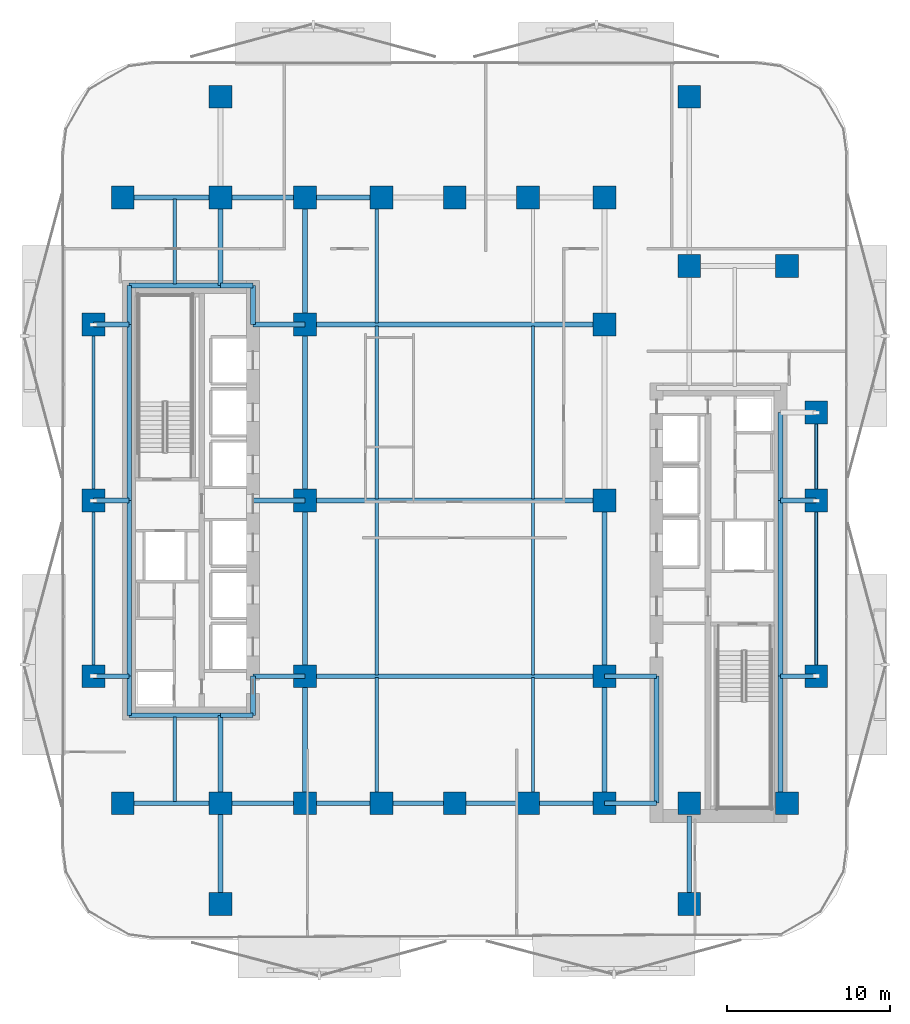
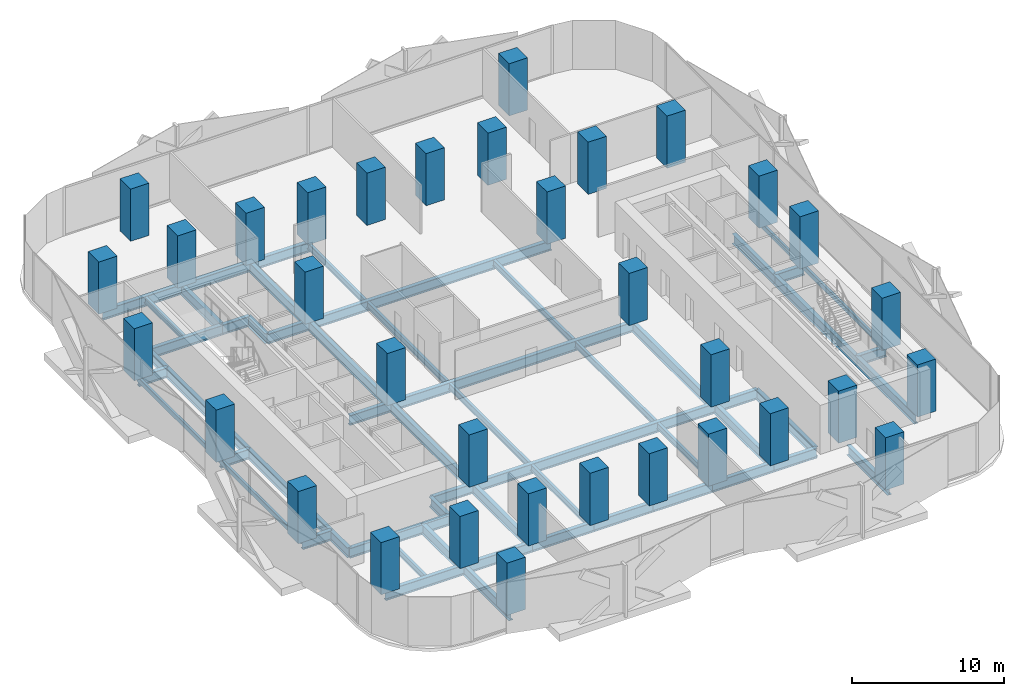
# One storey, part 1 of 16: 59 beams, 34 columns.
"""IFC4 building model written with IfcOpenShell, lengths in metres."""

from ifc_helpers import new_model, si_unit, direction, frame, origin, origin_2d, place, context, subcontext, project, spatial, rectangle, hollow_rectangle, i_section, extrude, material, material_profile, profile_set, type_object, element, save


model = new_model("IFC4")

# Units and contexts
model_context = context("Model", 3, precision=1e-05, world=origin(), true_north=direction((0.0, 1.0)))
body_context = subcontext(model_context, "Body", "Model", "MODEL_VIEW")
ifc_project = project(units=[si_unit("LENGTHUNIT", "METRE"), si_unit("AREAUNIT", "SQUARE_METRE"), si_unit("VOLUMEUNIT", "CUBIC_METRE"), si_unit("PLANEANGLEUNIT", "RADIAN"), si_unit("MASSUNIT", "GRAM", prefix="KILO")], contexts=[model_context])

# Site, building, storey
site_placement = place(None, origin())
site = spatial("IfcSite", under=ifc_project, at=site_placement, CompositionType="ELEMENT")
building_placement = place(site_placement, origin())
building = spatial("IfcBuilding", under=site, at=building_placement, Name="Khairoan Windgate Tower", CompositionType="ELEMENT")
storey_placement = place(building_placement, frame((0.0, 0.0, 55.39990234375)))
storey = spatial("IfcBuildingStorey", under=building, at=storey_placement, Name="L13", CompositionType="ELEMENT", Elevation=55.39990234375)

# Columns
ifc_material_1 = material(Name="Concrete C60/75", Category="concrete")
ifc_material_profile_1 = material_profile(ifc_material_1, rectangle(XDim=1.39990234375, YDim=1.39990234375, at=origin_2d()))
ifc_profile_set_1 = profile_set([ifc_material_profile_1], Name="Concrete C60/75")
column_type = type_object("IfcColumnType", Name="Column C-T2 RC1400x1400", PredefinedType="COLUMN", material=ifc_profile_set_1)
for number, where, z_axis, x_axis, name in (
    (1, (-9.199951171875, -18.60009765625, 0.0), (0.0, 0.0, 1.0), (1.0, 0.0, 0.0), "Column L13-01"),
    (2, (-9.199951171875, -10.800048828125, 0.0), (0.0, 0.0, 1.0), (1.0, 0.0, 0.0), "Column L13-02"),
    (3, (-9.199951171875, 0.0, 0.0), (0.0, 0.0, 1.0), (1.0, 0.0, 0.0), "Column L13-03"),
    (4, (-9.199951171875, 10.800048828125, 0.0), (0.0, 0.0, 1.0), (1.0, 0.0, 0.0), "Column L13-04"),
    (5, (-9.199951171875, 18.60009765625, 0.0), (0.0, 0.0, 1.0), (1.0, 0.0, 0.0), "Column L13-05"),
    (6, (9.199951171875, -18.60009765625, 0.0), (0.0, 0.0, 1.0), (1.0, 0.0, 0.0), "Column L13-06"),
    (7, (9.199951171875, -10.800048828125, 0.0), (0.0, 0.0, 1.0), (1.0, 0.0, 0.0), "Column L13-07"),
    (8, (9.199951171875, 0.0, 0.0), (0.0, 0.0, 1.0), (1.0, 0.0, 0.0), "Column L13-08"),
    (9, (9.199951171875, 10.800048828125, 0.0), (0.0, 0.0, 1.0), (1.0, 0.0, 0.0), "Column L13-09"),
    (10, (9.199951171875, 18.60009765625, 0.0), (0.0, 0.0, 1.0), (1.0, 0.0, 0.0), "Column L13-10"),
    (11, (-20.39990234375, -18.60009765625, 0.0), (0.0, 0.0, 1.0), (1.0, 0.0, 0.0), "Column L13-11"),
    (12, (-20.39990234375, 18.60009765625, 0.0), (0.0, 0.0, 1.0), (1.0, 0.0, 0.0), "Column L13-12"),
    (13, (20.39990234375, -18.60009765625, 0.0), (0.0, 0.0, 1.0), (1.0, 0.0, 0.0), "Column L13-13"),
    (14, (20.39990234375, 14.39990234375, 0.0), (0.0, 0.0, 1.0), (1.0, 0.0, 0.0), "Column L13-14"),
    (15, (-14.39990234375, -18.60009765625, 0.0), (0.0, 0.0, 1.0), (1.0, 0.0, 0.0), "Column L13-15"),
    (16, (-14.39990234375, 18.60009765625, 0.0), (0.0, 0.0, 1.0), (1.0, 0.0, 0.0), "Column L13-16"),
    (17, (14.39990234375, -18.60009765625, 0.0), (0.0, 0.0, 1.0), (1.0, 0.0, 0.0), "Column L13-17"),
    (18, (14.39990234375, 14.39990234375, 0.0), (0.0, 0.0, 1.0), (1.0, 0.0, 0.0), "Column L13-18"),
    (19, (-4.5, -18.60009765625, 0.0), (0.0, 0.0, 1.0), (1.0, 0.0, 0.0), "Column L13-19"),
    (20, (0.0, -18.60009765625, 0.0), (0.0, 0.0, 1.0), (1.0, 0.0, 0.0), "Column L13-20"),
    (21, (4.5, -18.60009765625, 0.0), (0.0, 0.0, 1.0), (1.0, 0.0, 0.0), "Column L13-21"),
    (22, (-4.5, 18.60009765625, 0.0), (0.0, 0.0, 1.0), (1.0, 0.0, 0.0), "Column L13-22"),
    (23, (0.0, 18.60009765625, 0.0), (0.0, 0.0, 1.0), (1.0, 0.0, 0.0), "Column L13-23"),
    (24, (4.5, 18.60009765625, 0.0), (0.0, 0.0, 1.0), (1.0, 0.0, 0.0), "Column L13-24"),
    (25, (-22.199951171875, -10.800048828125, 0.0), (0.0, 0.0, 1.0), (1.0, 0.0, 0.0), "Column L13-25"),
    (26, (-22.199951171875, 0.0, 0.0), (0.0, 0.0, 1.0), (1.0, 0.0, 0.0), "Column L13-26"),
    (27, (-22.199951171875, 10.800048828125, 0.0), (0.0, 0.0, 1.0), (1.0, 0.0, 0.0), "Column L13-27"),
    (28, (22.199951171875, -10.800048828125, 0.0), (0.0, 0.0, 1.0), (1.0, 0.0, 0.0), "Column L13-28"),
    (29, (22.199951171875, 0.0, 0.0), (0.0, 0.0, 1.0), (1.0, 0.0, 0.0), "Column L13-29"),
    (30, (22.199951171875, 5.39990234375, 0.0), (0.0, 0.0, 1.0), (1.0, 0.0, 0.0), "Column L13-30"),
    (31, (-14.39990234375, -24.800048828125, 0.0), (0.0, 0.0, 1.0), (1.0, 0.0, 0.0), "Column L13-31"),
    (32, (-14.39990234375, 24.800048828125, 0.0), (0.0, 0.0, 1.0), (1.0, 0.0, 0.0), "Column L13-32"),
    (33, (14.39990234375, -24.800048828125, 0.0), (0.0, 0.0, 1.0), (1.0, 0.0, 0.0), "Column L13-33"),
    (34, (14.39990234375, 24.800048828125, 0.0), (0.0, 0.0, 1.0), (1.0, 0.0, 0.0), "Column L13-34"),
):
    element("IfcColumn", number, at=place(storey_placement, frame(where, z_axis=z_axis, x_axis=x_axis)), inside=storey, type_object=column_type, Name=name, PredefinedType="COLUMN", context=body_context, shape_type="SweptSolid", body=[
        extrude(rectangle(XDim=1.39990234375, YDim=1.39990234375, at=origin_2d()), origin(), (0.0, 0.0, 1.0), 4.2001953125),
    ])

# Beams
ifc_material_2 = material(Name="Steel S355", Category="steel")
ifc_material_profile_2 = material_profile(ifc_material_2, i_section(OverallWidth=0.300048828125, OverallDepth=0.800048828125, WebThickness=0.013916015625, FlangeThickness=0.02587890625, FilletRadius=0.028076171875, at=origin_2d()))
ifc_profile_set_2 = profile_set([ifc_material_profile_2], Name="Steel S355")
beam_type_1 = type_object("IfcBeamType", Name="Beam B-G2 H800x300x14x26", PredefinedType="BEAM", material=ifc_profile_set_2)
beam_1_placement = place(storey_placement, frame((-20.39990234375, -18.60009765625, -0.659912109375), z_axis=(1.0, 0.0, 0.0), x_axis=(0.0, 1.0, 0.0)))
element("IfcBeam", 35, at=beam_1_placement, inside=storey, type_object=beam_type_1, Name="L13 E-W Primary Girder 01", PredefinedType="BEAM", context=body_context, shape_type="SweptSolid", body=[
    extrude(i_section(OverallWidth=0.300048828125, OverallDepth=0.800048828125, WebThickness=0.013916015625, FlangeThickness=0.02587890625, FilletRadius=0.028076171875, at=origin_2d()), origin(), (0.0, 0.0, 1.0), 6.0),
])
beam_2_placement = place(storey_placement, frame((-14.39990234375, -18.60009765625, -0.659912109375), z_axis=(1.0, 0.0, 0.0), x_axis=(0.0, 1.0, 0.0)))
element("IfcBeam", 36, at=beam_2_placement, inside=storey, type_object=beam_type_1, Name="L13 E-W Primary Girder 02", PredefinedType="BEAM", context=body_context, shape_type="SweptSolid", body=[
    extrude(i_section(OverallWidth=0.300048828125, OverallDepth=0.800048828125, WebThickness=0.013916015625, FlangeThickness=0.02587890625, FilletRadius=0.028076171875, at=origin_2d()), origin(), (0.0, 0.0, 1.0), 5.199951171875),
])
beam_3_placement = place(storey_placement, frame((-9.199951171875, -18.60009765625, -0.659912109375), z_axis=(1.0, 0.0, 0.0), x_axis=(0.0, 1.0, 0.0)))
element("IfcBeam", 37, at=beam_3_placement, inside=storey, type_object=beam_type_1, Name="L13 E-W Primary Girder 03", PredefinedType="BEAM", context=body_context, shape_type="SweptSolid", body=[
    extrude(i_section(OverallWidth=0.300048828125, OverallDepth=0.800048828125, WebThickness=0.013916015625, FlangeThickness=0.02587890625, FilletRadius=0.028076171875, at=origin_2d()), origin(), (0.0, 0.0, 1.0), 4.699951171875),
])
for number, where, z_axis, x_axis, name in (
    (38, (-4.5, -18.60009765625, -0.659912109375), (1.0, 0.0, 0.0), (0.0, 1.0, 0.0), "L13 E-W Primary Girder 04"),
    (39, (0.0, -18.60009765625, -0.659912109375), (1.0, 0.0, 0.0), (0.0, 1.0, 0.0), "L13 E-W Primary Girder 05"),
):
    element("IfcBeam", number, at=place(storey_placement, frame(where, z_axis=z_axis, x_axis=x_axis)), inside=storey, type_object=beam_type_1, Name=name, PredefinedType="BEAM", context=body_context, shape_type="SweptSolid", body=[
        extrude(i_section(OverallWidth=0.300048828125, OverallDepth=0.800048828125, WebThickness=0.013916015625, FlangeThickness=0.02587890625, FilletRadius=0.028076171875, at=origin_2d()), origin(), (0.0, 0.0, 1.0), 4.5),
    ])
beam_4_placement = place(storey_placement, frame((4.5, -18.60009765625, -0.659912109375), z_axis=(1.0, 0.0, 0.0), x_axis=(0.0, 1.0, 0.0)))
element("IfcBeam", 40, at=beam_4_placement, inside=storey, type_object=beam_type_1, Name="L13 E-W Primary Girder 06", PredefinedType="BEAM", context=body_context, shape_type="SweptSolid", body=[
    extrude(i_section(OverallWidth=0.300048828125, OverallDepth=0.800048828125, WebThickness=0.013916015625, FlangeThickness=0.02587890625, FilletRadius=0.028076171875, at=origin_2d()), origin(), (0.0, 0.0, 1.0), 4.699951171875),
])
beam_5_placement = place(storey_placement, frame((9.199951171875, -18.60009765625, -0.659912109375), z_axis=(1.0, 0.0, 0.0), x_axis=(0.0, 1.0, 0.0)))
element("IfcBeam", 41, at=beam_5_placement, inside=storey, type_object=beam_type_1, Name="L13 E-W Primary Girder 07", PredefinedType="BEAM", context=body_context, shape_type="SweptSolid", body=[
    extrude(i_section(OverallWidth=0.300048828125, OverallDepth=0.800048828125, WebThickness=0.013916015625, FlangeThickness=0.02587890625, FilletRadius=0.028076171875, at=origin_2d()), origin(), (0.0, 0.0, 1.0), 3.199951171875),
])
beam_6_placement = place(storey_placement, frame((-20.0, -13.199951171875, -0.659912109375), z_axis=(1.0, 0.0, 0.0), x_axis=(0.0, 1.0, 0.0)))
element("IfcBeam", 42, at=beam_6_placement, inside=storey, type_object=beam_type_1, Name="L13 E-W Primary Girder 08", PredefinedType="BEAM", context=body_context, shape_type="SweptSolid", body=[
    extrude(i_section(OverallWidth=0.300048828125, OverallDepth=0.800048828125, WebThickness=0.013916015625, FlangeThickness=0.02587890625, FilletRadius=0.028076171875, at=origin_2d()), origin(), (0.0, 0.0, 1.0), 5.60009765625),
])
beam_7_placement = place(storey_placement, frame((-14.39990234375, -13.199951171875, -0.659912109375), z_axis=(1.0, 0.0, 0.0), x_axis=(0.0, 1.0, 0.0)))
element("IfcBeam", 43, at=beam_7_placement, inside=storey, type_object=beam_type_1, Name="L13 E-W Primary Girder 09", PredefinedType="BEAM", context=body_context, shape_type="SweptSolid", body=[
    extrude(i_section(OverallWidth=0.300048828125, OverallDepth=0.800048828125, WebThickness=0.013916015625, FlangeThickness=0.02587890625, FilletRadius=0.028076171875, at=origin_2d()), origin(), (0.0, 0.0, 1.0), 2.0),
])
beam_8_placement = place(storey_placement, frame((-22.199951171875, -10.800048828125, -0.659912109375), z_axis=(1.0, 0.0, 0.0), x_axis=(0.0, 1.0, 0.0)))
element("IfcBeam", 44, at=beam_8_placement, inside=storey, type_object=beam_type_1, Name="L13 E-W Primary Girder 10", PredefinedType="BEAM", context=body_context, shape_type="SweptSolid", body=[
    extrude(i_section(OverallWidth=0.300048828125, OverallDepth=0.800048828125, WebThickness=0.013916015625, FlangeThickness=0.02587890625, FilletRadius=0.028076171875, at=origin_2d()), origin(), (0.0, 0.0, 1.0), 2.199951171875),
])
beam_9_placement = place(storey_placement, frame((-12.39990234375, -10.800048828125, -0.659912109375), z_axis=(1.0, 0.0, 0.0), x_axis=(0.0, 1.0, 0.0)))
element("IfcBeam", 45, at=beam_9_placement, inside=storey, type_object=beam_type_1, Name="L13 E-W Primary Girder 11", PredefinedType="BEAM", context=body_context, shape_type="SweptSolid", body=[
    extrude(i_section(OverallWidth=0.300048828125, OverallDepth=0.800048828125, WebThickness=0.013916015625, FlangeThickness=0.02587890625, FilletRadius=0.028076171875, at=origin_2d()), origin(), (0.0, 0.0, 1.0), 3.199951171875),
])
beam_10_placement = place(storey_placement, frame((-9.199951171875, -10.800048828125, -0.659912109375), z_axis=(1.0, 0.0, 0.0), x_axis=(0.0, 1.0, 0.0)))
element("IfcBeam", 46, at=beam_10_placement, inside=storey, type_object=beam_type_1, Name="L13 E-W Primary Girder 12", PredefinedType="BEAM", context=body_context, shape_type="SweptSolid", body=[
    extrude(i_section(OverallWidth=0.300048828125, OverallDepth=0.800048828125, WebThickness=0.013916015625, FlangeThickness=0.02587890625, FilletRadius=0.028076171875, at=origin_2d()), origin(), (0.0, 0.0, 1.0), 18.39990234375),
])
beam_11_placement = place(storey_placement, frame((9.199951171875, -10.800048828125, -0.659912109375), z_axis=(1.0, 0.0, 0.0), x_axis=(0.0, 1.0, 0.0)))
element("IfcBeam", 47, at=beam_11_placement, inside=storey, type_object=beam_type_1, Name="L13 E-W Primary Girder 13", PredefinedType="BEAM", context=body_context, shape_type="SweptSolid", body=[
    extrude(i_section(OverallWidth=0.300048828125, OverallDepth=0.800048828125, WebThickness=0.013916015625, FlangeThickness=0.02587890625, FilletRadius=0.028076171875, at=origin_2d()), origin(), (0.0, 0.0, 1.0), 3.199951171875),
])
for number, where, z_axis, x_axis, name in (
    (48, (20.0, -10.800048828125, -0.659912109375), (1.0, 0.0, 0.0), (0.0, 1.0, 0.0), "L13 E-W Primary Girder 14"),
    (49, (-22.199951171875, 0.0, -0.659912109375), (1.0, 0.0, 0.0), (0.0, 1.0, 0.0), "L13 E-W Primary Girder 15"),
):
    element("IfcBeam", number, at=place(storey_placement, frame(where, z_axis=z_axis, x_axis=x_axis)), inside=storey, type_object=beam_type_1, Name=name, PredefinedType="BEAM", context=body_context, shape_type="SweptSolid", body=[
        extrude(i_section(OverallWidth=0.300048828125, OverallDepth=0.800048828125, WebThickness=0.013916015625, FlangeThickness=0.02587890625, FilletRadius=0.028076171875, at=origin_2d()), origin(), (0.0, 0.0, 1.0), 2.199951171875),
    ])
beam_12_placement = place(storey_placement, frame((-12.39990234375, 0.0, -0.659912109375), z_axis=(1.0, 0.0, 0.0), x_axis=(0.0, 1.0, 0.0)))
element("IfcBeam", 50, at=beam_12_placement, inside=storey, type_object=beam_type_1, Name="L13 E-W Primary Girder 16", PredefinedType="BEAM", context=body_context, shape_type="SweptSolid", body=[
    extrude(i_section(OverallWidth=0.300048828125, OverallDepth=0.800048828125, WebThickness=0.013916015625, FlangeThickness=0.02587890625, FilletRadius=0.028076171875, at=origin_2d()), origin(), (0.0, 0.0, 1.0), 3.199951171875),
])
beam_13_placement = place(storey_placement, frame((-9.199951171875, 0.0, -0.659912109375), z_axis=(1.0, 0.0, 0.0), x_axis=(0.0, 1.0, 0.0)))
element("IfcBeam", 51, at=beam_13_placement, inside=storey, type_object=beam_type_1, Name="L13 E-W Primary Girder 17", PredefinedType="BEAM", context=body_context, shape_type="SweptSolid", body=[
    extrude(i_section(OverallWidth=0.300048828125, OverallDepth=0.800048828125, WebThickness=0.013916015625, FlangeThickness=0.02587890625, FilletRadius=0.028076171875, at=origin_2d()), origin(), (0.0, 0.0, 1.0), 18.39990234375),
])
for number, where, z_axis, x_axis, name in (
    (52, (20.0, 0.0, -0.659912109375), (1.0, 0.0, 0.0), (0.0, 1.0, 0.0), "L13 E-W Primary Girder 18"),
    (53, (-22.199951171875, 10.800048828125, -0.659912109375), (1.0, 0.0, 0.0), (0.0, 1.0, 0.0), "L13 E-W Primary Girder 22"),
):
    element("IfcBeam", number, at=place(storey_placement, frame(where, z_axis=z_axis, x_axis=x_axis)), inside=storey, type_object=beam_type_1, Name=name, PredefinedType="BEAM", context=body_context, shape_type="SweptSolid", body=[
        extrude(i_section(OverallWidth=0.300048828125, OverallDepth=0.800048828125, WebThickness=0.013916015625, FlangeThickness=0.02587890625, FilletRadius=0.028076171875, at=origin_2d()), origin(), (0.0, 0.0, 1.0), 2.199951171875),
    ])
beam_14_placement = place(storey_placement, frame((-12.39990234375, 10.800048828125, -0.659912109375), z_axis=(1.0, 0.0, 0.0), x_axis=(0.0, 1.0, 0.0)))
element("IfcBeam", 54, at=beam_14_placement, inside=storey, type_object=beam_type_1, Name="L13 E-W Primary Girder 23", PredefinedType="BEAM", context=body_context, shape_type="SweptSolid", body=[
    extrude(i_section(OverallWidth=0.300048828125, OverallDepth=0.800048828125, WebThickness=0.013916015625, FlangeThickness=0.02587890625, FilletRadius=0.028076171875, at=origin_2d()), origin(), (0.0, 0.0, 1.0), 3.199951171875),
])
beam_15_placement = place(storey_placement, frame((-9.199951171875, 10.800048828125, -0.659912109375), z_axis=(1.0, 0.0, 0.0), x_axis=(0.0, 1.0, 0.0)))
element("IfcBeam", 55, at=beam_15_placement, inside=storey, type_object=beam_type_1, Name="L13 E-W Primary Girder 24", PredefinedType="BEAM", context=body_context, shape_type="SweptSolid", body=[
    extrude(i_section(OverallWidth=0.300048828125, OverallDepth=0.800048828125, WebThickness=0.013916015625, FlangeThickness=0.02587890625, FilletRadius=0.028076171875, at=origin_2d()), origin(), (0.0, 0.0, 1.0), 18.39990234375),
])
beam_16_placement = place(storey_placement, frame((-20.0, 13.199951171875, -0.659912109375), z_axis=(1.0, 0.0, 0.0), x_axis=(0.0, 1.0, 0.0)))
element("IfcBeam", 56, at=beam_16_placement, inside=storey, type_object=beam_type_1, Name="L13 E-W Primary Girder 25", PredefinedType="BEAM", context=body_context, shape_type="SweptSolid", body=[
    extrude(i_section(OverallWidth=0.300048828125, OverallDepth=0.800048828125, WebThickness=0.013916015625, FlangeThickness=0.02587890625, FilletRadius=0.028076171875, at=origin_2d()), origin(), (0.0, 0.0, 1.0), 5.60009765625),
])
beam_17_placement = place(storey_placement, frame((-14.39990234375, 13.199951171875, -0.659912109375), z_axis=(1.0, 0.0, 0.0), x_axis=(0.0, 1.0, 0.0)))
element("IfcBeam", 57, at=beam_17_placement, inside=storey, type_object=beam_type_1, Name="L13 E-W Primary Girder 26", PredefinedType="BEAM", context=body_context, shape_type="SweptSolid", body=[
    extrude(i_section(OverallWidth=0.300048828125, OverallDepth=0.800048828125, WebThickness=0.013916015625, FlangeThickness=0.02587890625, FilletRadius=0.028076171875, at=origin_2d()), origin(), (0.0, 0.0, 1.0), 2.0),
])
beam_18_placement = place(storey_placement, frame((-20.39990234375, 18.60009765625, -0.659912109375), z_axis=(1.0, 0.0, 0.0), x_axis=(0.0, 1.0, 0.0)))
element("IfcBeam", 58, at=beam_18_placement, inside=storey, type_object=beam_type_1, Name="L13 E-W Primary Girder 28", PredefinedType="BEAM", context=body_context, shape_type="SweptSolid", body=[
    extrude(i_section(OverallWidth=0.300048828125, OverallDepth=0.800048828125, WebThickness=0.013916015625, FlangeThickness=0.02587890625, FilletRadius=0.028076171875, at=origin_2d()), origin(), (0.0, 0.0, 1.0), 6.0),
])
beam_19_placement = place(storey_placement, frame((-14.39990234375, 18.60009765625, -0.659912109375), z_axis=(1.0, 0.0, 0.0), x_axis=(0.0, 1.0, 0.0)))
element("IfcBeam", 59, at=beam_19_placement, inside=storey, type_object=beam_type_1, Name="L13 E-W Primary Girder 29", PredefinedType="BEAM", context=body_context, shape_type="SweptSolid", body=[
    extrude(i_section(OverallWidth=0.300048828125, OverallDepth=0.800048828125, WebThickness=0.013916015625, FlangeThickness=0.02587890625, FilletRadius=0.028076171875, at=origin_2d()), origin(), (0.0, 0.0, 1.0), 5.199951171875),
])
beam_20_placement = place(storey_placement, frame((-9.199951171875, 18.60009765625, -0.659912109375), z_axis=(1.0, 0.0, 0.0), x_axis=(0.0, 1.0, 0.0)))
element("IfcBeam", 60, at=beam_20_placement, inside=storey, type_object=beam_type_1, Name="L13 E-W Primary Girder 30", PredefinedType="BEAM", context=body_context, shape_type="SweptSolid", body=[
    extrude(i_section(OverallWidth=0.300048828125, OverallDepth=0.800048828125, WebThickness=0.013916015625, FlangeThickness=0.02587890625, FilletRadius=0.028076171875, at=origin_2d()), origin(), (0.0, 0.0, 1.0), 4.699951171875),
])
beam_21_placement = place(storey_placement, frame((-20.0, -13.199951171875, -0.659912109375), z_axis=(0.0, 1.0, 0.0), x_axis=(-1.0, 0.0, 0.0)))
element("IfcBeam", 61, at=beam_21_placement, inside=storey, type_object=beam_type_1, Name="L13 N-S Primary Beam 36", PredefinedType="BEAM", context=body_context, shape_type="SweptSolid", body=[
    extrude(i_section(OverallWidth=0.300048828125, OverallDepth=0.800048828125, WebThickness=0.013916015625, FlangeThickness=0.02587890625, FilletRadius=0.028076171875, at=origin_2d()), origin(), (0.0, 0.0, 1.0), 2.39990234375),
])
for number, where, z_axis, x_axis, name in (
    (62, (-20.0, -10.800048828125, -0.659912109375), (0.0, 1.0, 0.0), (-1.0, 0.0, 0.0), "L13 N-S Primary Beam 37"),
    (63, (-20.0, 0.0, -0.659912109375), (0.0, 1.0, 0.0), (-1.0, 0.0, 0.0), "L13 N-S Primary Beam 38"),
):
    element("IfcBeam", number, at=place(storey_placement, frame(where, z_axis=z_axis, x_axis=x_axis)), inside=storey, type_object=beam_type_1, Name=name, PredefinedType="BEAM", context=body_context, shape_type="SweptSolid", body=[
        extrude(i_section(OverallWidth=0.300048828125, OverallDepth=0.800048828125, WebThickness=0.013916015625, FlangeThickness=0.02587890625, FilletRadius=0.028076171875, at=origin_2d()), origin(), (0.0, 0.0, 1.0), 10.800048828125),
    ])
beam_22_placement = place(storey_placement, frame((-20.0, 10.800048828125, -0.659912109375), z_axis=(0.0, 1.0, 0.0), x_axis=(-1.0, 0.0, 0.0)))
element("IfcBeam", 64, at=beam_22_placement, inside=storey, type_object=beam_type_1, Name="L13 N-S Primary Beam 39", PredefinedType="BEAM", context=body_context, shape_type="SweptSolid", body=[
    extrude(i_section(OverallWidth=0.300048828125, OverallDepth=0.800048828125, WebThickness=0.013916015625, FlangeThickness=0.02587890625, FilletRadius=0.028076171875, at=origin_2d()), origin(), (0.0, 0.0, 1.0), 2.39990234375),
])
beam_23_placement = place(storey_placement, frame((-14.39990234375, -24.800048828125, -0.659912109375), z_axis=(0.0, 1.0, 0.0), x_axis=(-1.0, 0.0, 0.0)))
element("IfcBeam", 65, at=beam_23_placement, inside=storey, type_object=beam_type_1, Name="L13 N-S Primary Beam 40", PredefinedType="BEAM", context=body_context, shape_type="SweptSolid", body=[
    extrude(i_section(OverallWidth=0.300048828125, OverallDepth=0.800048828125, WebThickness=0.013916015625, FlangeThickness=0.02587890625, FilletRadius=0.028076171875, at=origin_2d()), origin(), (0.0, 0.0, 1.0), 6.199951171875),
])
for number, where, z_axis, x_axis, name in (
    (66, (-14.39990234375, -18.60009765625, -0.659912109375), (0.0, 1.0, 0.0), (-1.0, 0.0, 0.0), "L13 N-S Primary Beam 41"),
    (67, (-14.39990234375, 13.199951171875, -0.659912109375), (0.0, 1.0, 0.0), (-1.0, 0.0, 0.0), "L13 N-S Primary Beam 42"),
):
    element("IfcBeam", number, at=place(storey_placement, frame(where, z_axis=z_axis, x_axis=x_axis)), inside=storey, type_object=beam_type_1, Name=name, PredefinedType="BEAM", context=body_context, shape_type="SweptSolid", body=[
        extrude(i_section(OverallWidth=0.300048828125, OverallDepth=0.800048828125, WebThickness=0.013916015625, FlangeThickness=0.02587890625, FilletRadius=0.028076171875, at=origin_2d()), origin(), (0.0, 0.0, 1.0), 5.400146484375),
    ])
for number, where, z_axis, x_axis, name in (
    (68, (-12.39990234375, -13.199951171875, -0.659912109375), (0.0, 1.0, 0.0), (-1.0, 0.0, 0.0), "L13 N-S Primary Beam 44"),
    (69, (-12.39990234375, 10.800048828125, -0.659912109375), (0.0, 1.0, 0.0), (-1.0, 0.0, 0.0), "L13 N-S Primary Beam 45"),
):
    element("IfcBeam", number, at=place(storey_placement, frame(where, z_axis=z_axis, x_axis=x_axis)), inside=storey, type_object=beam_type_1, Name=name, PredefinedType="BEAM", context=body_context, shape_type="SweptSolid", body=[
        extrude(i_section(OverallWidth=0.300048828125, OverallDepth=0.800048828125, WebThickness=0.013916015625, FlangeThickness=0.02587890625, FilletRadius=0.028076171875, at=origin_2d()), origin(), (0.0, 0.0, 1.0), 2.39990234375),
    ])
beam_24_placement = place(storey_placement, frame((-9.199951171875, -18.60009765625, -0.659912109375), z_axis=(0.0, 1.0, 0.0), x_axis=(-1.0, 0.0, 0.0)))
element("IfcBeam", 70, at=beam_24_placement, inside=storey, type_object=beam_type_1, Name="L13 N-S Primary Beam 46", PredefinedType="BEAM", context=body_context, shape_type="SweptSolid", body=[
    extrude(i_section(OverallWidth=0.300048828125, OverallDepth=0.800048828125, WebThickness=0.013916015625, FlangeThickness=0.02587890625, FilletRadius=0.028076171875, at=origin_2d()), origin(), (0.0, 0.0, 1.0), 7.800048828125),
])
for number, where, z_axis, x_axis, name in (
    (71, (-9.199951171875, -10.800048828125, -0.659912109375), (0.0, 1.0, 0.0), (-1.0, 0.0, 0.0), "L13 N-S Primary Beam 47"),
    (72, (-9.199951171875, 0.0, -0.659912109375), (0.0, 1.0, 0.0), (-1.0, 0.0, 0.0), "L13 N-S Primary Beam 48"),
):
    element("IfcBeam", number, at=place(storey_placement, frame(where, z_axis=z_axis, x_axis=x_axis)), inside=storey, type_object=beam_type_1, Name=name, PredefinedType="BEAM", context=body_context, shape_type="SweptSolid", body=[
        extrude(i_section(OverallWidth=0.300048828125, OverallDepth=0.800048828125, WebThickness=0.013916015625, FlangeThickness=0.02587890625, FilletRadius=0.028076171875, at=origin_2d()), origin(), (0.0, 0.0, 1.0), 10.800048828125),
    ])
for number, where, z_axis, x_axis, name in (
    (73, (-9.199951171875, 10.800048828125, -0.659912109375), (0.0, 1.0, 0.0), (-1.0, 0.0, 0.0), "L13 N-S Primary Beam 49"),
    (74, (9.199951171875, -18.60009765625, -0.659912109375), (0.0, 1.0, 0.0), (-1.0, 0.0, 0.0), "L13 N-S Primary Beam 50"),
):
    element("IfcBeam", number, at=place(storey_placement, frame(where, z_axis=z_axis, x_axis=x_axis)), inside=storey, type_object=beam_type_1, Name=name, PredefinedType="BEAM", context=body_context, shape_type="SweptSolid", body=[
        extrude(i_section(OverallWidth=0.300048828125, OverallDepth=0.800048828125, WebThickness=0.013916015625, FlangeThickness=0.02587890625, FilletRadius=0.028076171875, at=origin_2d()), origin(), (0.0, 0.0, 1.0), 7.800048828125),
    ])
beam_25_placement = place(storey_placement, frame((9.199951171875, -10.800048828125, -0.659912109375), z_axis=(0.0, 1.0, 0.0), x_axis=(-1.0, 0.0, 0.0)))
element("IfcBeam", 75, at=beam_25_placement, inside=storey, type_object=beam_type_1, Name="L13 N-S Primary Beam 51", PredefinedType="BEAM", context=body_context, shape_type="SweptSolid", body=[
    extrude(i_section(OverallWidth=0.300048828125, OverallDepth=0.800048828125, WebThickness=0.013916015625, FlangeThickness=0.02587890625, FilletRadius=0.028076171875, at=origin_2d()), origin(), (0.0, 0.0, 1.0), 10.800048828125),
])
beam_26_placement = place(storey_placement, frame((12.39990234375, -18.60009765625, -0.659912109375), z_axis=(0.0, 1.0, 0.0), x_axis=(-1.0, 0.0, 0.0)))
element("IfcBeam", 76, at=beam_26_placement, inside=storey, type_object=beam_type_1, Name="L13 N-S Primary Beam 54", PredefinedType="BEAM", context=body_context, shape_type="SweptSolid", body=[
    extrude(i_section(OverallWidth=0.300048828125, OverallDepth=0.800048828125, WebThickness=0.013916015625, FlangeThickness=0.02587890625, FilletRadius=0.028076171875, at=origin_2d()), origin(), (0.0, 0.0, 1.0), 7.800048828125),
])
beam_27_placement = place(storey_placement, frame((14.39990234375, -24.800048828125, -0.659912109375), z_axis=(0.0, 1.0, 0.0), x_axis=(-1.0, 0.0, 0.0)))
element("IfcBeam", 77, at=beam_27_placement, inside=storey, type_object=beam_type_1, Name="L13 N-S Primary Beam 55", PredefinedType="BEAM", context=body_context, shape_type="SweptSolid", body=[
    extrude(i_section(OverallWidth=0.300048828125, OverallDepth=0.800048828125, WebThickness=0.013916015625, FlangeThickness=0.02587890625, FilletRadius=0.028076171875, at=origin_2d()), origin(), (0.0, 0.0, 1.0), 5.400146484375),
])
beam_28_placement = place(storey_placement, frame((20.0, -18.60009765625, -0.659912109375), z_axis=(0.0, 1.0, 0.0), x_axis=(-1.0, 0.0, 0.0)))
element("IfcBeam", 78, at=beam_28_placement, inside=storey, type_object=beam_type_1, Name="L13 N-S Primary Beam 58", PredefinedType="BEAM", context=body_context, shape_type="SweptSolid", body=[
    extrude(i_section(OverallWidth=0.300048828125, OverallDepth=0.800048828125, WebThickness=0.013916015625, FlangeThickness=0.02587890625, FilletRadius=0.028076171875, at=origin_2d()), origin(), (0.0, 0.0, 1.0), 7.800048828125),
])
beam_29_placement = place(storey_placement, frame((20.0, -10.800048828125, -0.659912109375), z_axis=(0.0, 1.0, 0.0), x_axis=(-1.0, 0.0, 0.0)))
element("IfcBeam", 79, at=beam_29_placement, inside=storey, type_object=beam_type_1, Name="L13 N-S Primary Beam 59", PredefinedType="BEAM", context=body_context, shape_type="SweptSolid", body=[
    extrude(i_section(OverallWidth=0.300048828125, OverallDepth=0.800048828125, WebThickness=0.013916015625, FlangeThickness=0.02587890625, FilletRadius=0.028076171875, at=origin_2d()), origin(), (0.0, 0.0, 1.0), 10.800048828125),
])
beam_30_placement = place(storey_placement, frame((20.0, 0.0, -0.659912109375), z_axis=(0.0, 1.0, 0.0), x_axis=(-1.0, 0.0, 0.0)))
element("IfcBeam", 80, at=beam_30_placement, inside=storey, type_object=beam_type_1, Name="L13 N-S Primary Beam 60", PredefinedType="BEAM", context=body_context, shape_type="SweptSolid", body=[
    extrude(i_section(OverallWidth=0.300048828125, OverallDepth=0.800048828125, WebThickness=0.013916015625, FlangeThickness=0.02587890625, FilletRadius=0.028076171875, at=origin_2d()), origin(), (0.0, 0.0, 1.0), 5.39990234375),
])
ifc_material_3 = material(Name="Steel S355", Category="steel")
ifc_material_profile_3 = material_profile(ifc_material_3, i_section(OverallWidth=0.199951171875, OverallDepth=0.5, WebThickness=0.010009765625, FlangeThickness=0.01611328125, FilletRadius=0.02001953125, at=origin_2d()))
ifc_profile_set_3 = profile_set([ifc_material_profile_3], Name="Steel S355")
beam_type_2 = type_object("IfcBeamType", Name="Beam J-S2 H500x200x10x16", PredefinedType="JOIST", material=ifc_profile_set_3)
for number, where, z_axis, x_axis, name in (
    (81, (-17.199951171875, -18.510009765625, -0.510009765625), (0.0, 1.0, 0.0), (-1.0, 0.0, 0.0), "L13 Secondary Floor Joist 01"),
    (82, (-17.199951171875, 13.2900390625, -0.510009765625), (0.0, 1.0, 0.0), (-1.0, 0.0, 0.0), "L13 Secondary Floor Joist 02"),
):
    element("IfcBeam", number, at=place(storey_placement, frame(where, z_axis=z_axis, x_axis=x_axis)), inside=storey, type_object=beam_type_2, Name=name, PredefinedType="JOIST", context=body_context, shape_type="SweptSolid", body=[
        extrude(i_section(OverallWidth=0.199951171875, OverallDepth=0.5, WebThickness=0.010009765625, FlangeThickness=0.01611328125, FilletRadius=0.02001953125, at=origin_2d()), origin(), (0.0, 0.0, 1.0), 5.219970703125),
    ])
beam_31_placement = place(storey_placement, frame((-4.800048828125, -18.510009765625, -0.510009765625), z_axis=(0.0, 1.0, 0.0), x_axis=(-1.0, 0.0, 0.0)))
element("IfcBeam", 83, at=beam_31_placement, inside=storey, type_object=beam_type_2, Name="L13 Secondary Floor Joist 03", PredefinedType="JOIST", context=body_context, shape_type="SweptSolid", body=[
    extrude(i_section(OverallWidth=0.199951171875, OverallDepth=0.5, WebThickness=0.010009765625, FlangeThickness=0.01611328125, FilletRadius=0.02001953125, at=origin_2d()), origin(), (0.0, 0.0, 1.0), 7.6201171875),
])
for number, where, z_axis, x_axis, name in (
    (84, (-4.800048828125, -10.7099609375, -0.510009765625), (0.0, 1.0, 0.0), (-1.0, 0.0, 0.0), "L13 Secondary Floor Joist 04"),
    (85, (-4.800048828125, 0.090087890625, -0.510009765625), (0.0, 1.0, 0.0), (-1.0, 0.0, 0.0), "L13 Secondary Floor Joist 05"),
):
    element("IfcBeam", number, at=place(storey_placement, frame(where, z_axis=z_axis, x_axis=x_axis)), inside=storey, type_object=beam_type_2, Name=name, PredefinedType="JOIST", context=body_context, shape_type="SweptSolid", body=[
        extrude(i_section(OverallWidth=0.199951171875, OverallDepth=0.5, WebThickness=0.010009765625, FlangeThickness=0.01611328125, FilletRadius=0.02001953125, at=origin_2d()), origin(), (0.0, 0.0, 1.0), 10.619873046875),
    ])
for number, where, z_axis, x_axis, name in (
    (86, (-4.800048828125, 10.889892578125, -0.510009765625), (0.0, 1.0, 0.0), (-1.0, 0.0, 0.0), "L13 Secondary Floor Joist 06"),
    (87, (4.800048828125, -18.510009765625, -0.510009765625), (0.0, 1.0, 0.0), (-1.0, 0.0, 0.0), "L13 Secondary Floor Joist 07"),
):
    element("IfcBeam", number, at=place(storey_placement, frame(where, z_axis=z_axis, x_axis=x_axis)), inside=storey, type_object=beam_type_2, Name=name, PredefinedType="JOIST", context=body_context, shape_type="SweptSolid", body=[
        extrude(i_section(OverallWidth=0.199951171875, OverallDepth=0.5, WebThickness=0.010009765625, FlangeThickness=0.01611328125, FilletRadius=0.02001953125, at=origin_2d()), origin(), (0.0, 0.0, 1.0), 7.6201171875),
    ])
for number, where, z_axis, x_axis, name in (
    (88, (4.800048828125, -10.7099609375, -0.510009765625), (0.0, 1.0, 0.0), (-1.0, 0.0, 0.0), "L13 Secondary Floor Joist 08"),
    (89, (4.800048828125, 0.090087890625, -0.510009765625), (0.0, 1.0, 0.0), (-1.0, 0.0, 0.0), "L13 Secondary Floor Joist 09"),
):
    element("IfcBeam", number, at=place(storey_placement, frame(where, z_axis=z_axis, x_axis=x_axis)), inside=storey, type_object=beam_type_2, Name=name, PredefinedType="JOIST", context=body_context, shape_type="SweptSolid", body=[
        extrude(i_section(OverallWidth=0.199951171875, OverallDepth=0.5, WebThickness=0.010009765625, FlangeThickness=0.01611328125, FilletRadius=0.02001953125, at=origin_2d()), origin(), (0.0, 0.0, 1.0), 10.619873046875),
    ])
ifc_material_4 = material(Name="Steel S355", Category="steel")
ifc_material_profile_4 = material_profile(ifc_material_4, hollow_rectangle(XDim=0.199951171875, YDim=0.39990234375, WallThickness=0.013916015625, InnerFilletRadius=0.013916015625, OuterFilletRadius=0.028076171875, at=origin_2d()))
ifc_profile_set_4 = profile_set([ifc_material_profile_4], Name="Steel S355")
beam_type_3 = type_object("IfcBeamType", Name="Beam SP-B1 RHS400x200x14", PredefinedType="SPANDREL", material=ifc_profile_set_4)
for number, where, z_axis, x_axis, name in (
    (90, (-22.199951171875, -10.800048828125, -0.4599609375), (0.0, 1.0, 0.0), (-1.0, 0.0, 0.0), "L13 Spandrel Beam 34"),
    (91, (-22.199951171875, 0.0, -0.4599609375), (0.0, 1.0, 0.0), (-1.0, 0.0, 0.0), "L13 Spandrel Beam 35"),
    (92, (22.199951171875, -10.800048828125, -0.4599609375), (0.0, 1.0, 0.0), (-1.0, 0.0, 0.0), "L13 Spandrel Beam 61"),
):
    element("IfcBeam", number, at=place(storey_placement, frame(where, z_axis=z_axis, x_axis=x_axis)), inside=storey, type_object=beam_type_3, Name=name, PredefinedType="SPANDREL", context=body_context, shape_type="SweptSolid", body=[
        extrude(hollow_rectangle(XDim=0.199951171875, YDim=0.39990234375, WallThickness=0.013916015625, InnerFilletRadius=0.013916015625, OuterFilletRadius=0.028076171875, at=origin_2d()), origin(), (0.0, 0.0, 1.0), 10.800048828125),
    ])
beam_32_placement = place(storey_placement, frame((22.199951171875, 0.0, -0.4599609375), z_axis=(0.0, 1.0, 0.0), x_axis=(-1.0, 0.0, 0.0)))
element("IfcBeam", 93, at=beam_32_placement, inside=storey, type_object=beam_type_3, Name="L13 Spandrel Beam 62", PredefinedType="SPANDREL", context=body_context, shape_type="SweptSolid", body=[
    extrude(hollow_rectangle(XDim=0.199951171875, YDim=0.39990234375, WallThickness=0.013916015625, InnerFilletRadius=0.013916015625, OuterFilletRadius=0.028076171875, at=origin_2d()), origin(), (0.0, 0.0, 1.0), 5.39990234375),
])

save(model, "model.ifc")
